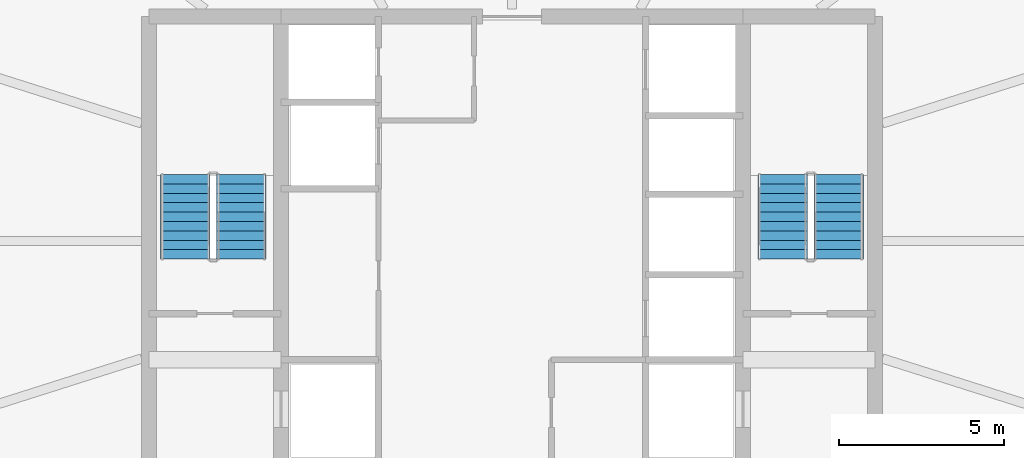
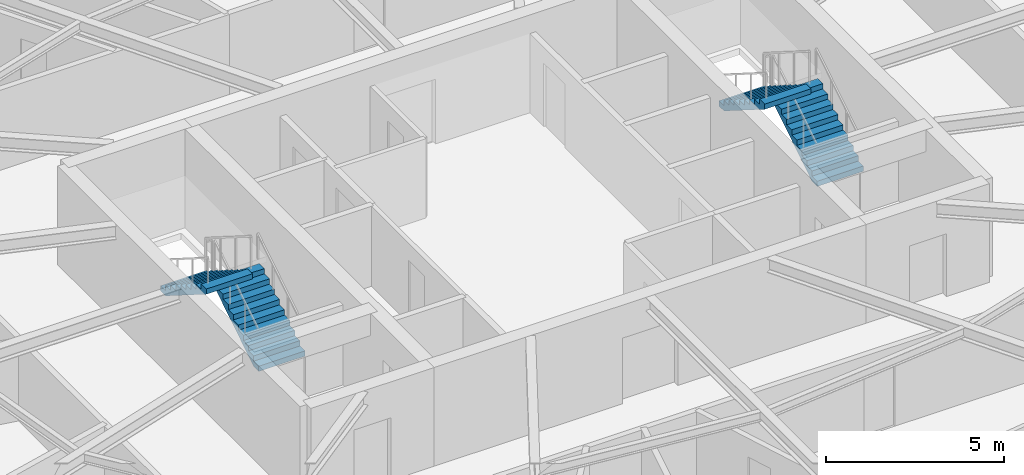
# One storey, part 25 of 28: 4 stair flights, 2 elements without a shape of their own.
"""IFC4 building model written with IfcOpenShell, lengths in metres."""

from ifc_helpers import new_model, si_unit, direction, frame, origin, place, context, subcontext, project, spatial, polyline, outline, extrude, material, type_object, element, aggregate, save


model = new_model("IFC4")

# Units and contexts
model_context = context("Model", 3, precision=1e-05, world=origin(), true_north=direction((0.0, 1.0)))
body_context = subcontext(model_context, "Body", "Model", "MODEL_VIEW")
ifc_project = project(units=[si_unit("LENGTHUNIT", "METRE"), si_unit("AREAUNIT", "SQUARE_METRE"), si_unit("VOLUMEUNIT", "CUBIC_METRE"), si_unit("PLANEANGLEUNIT", "RADIAN"), si_unit("MASSUNIT", "GRAM", prefix="KILO")], contexts=[model_context])

# Site, building, storey
site_placement = place(None, origin())
site = spatial("IfcSite", under=ifc_project, at=site_placement, CompositionType="ELEMENT")
building_placement = place(site_placement, origin())
building = spatial("IfcBuilding", under=site, at=building_placement, Name="Sarneth Arch Tower", CompositionType="ELEMENT")
storey_placement = place(building_placement, frame((0.0, 0.0, 183.0)))
storey = spatial("IfcBuildingStorey", under=building, at=storey_placement, Name="L46", CompositionType="ELEMENT", Elevation=183.0)

# Stair, stair flights
ifc_material_1 = material(Name="Concrete C50/60", Category="concrete")
stair_type = type_object("IfcStairType", Name="STAIR-CORE-RC", PredefinedType="HALF_TURN_STAIR", material=ifc_material_1)
stair_1_placement = place(storey_placement, origin())
stair_1 = element("IfcStair", 1, at=stair_1_placement, inside=storey, type_object=stair_type, Name="L46 Core Exit Stair 1", PredefinedType="HALF_TURN_STAIR")
ifc_material_2 = material(Name="Concrete C50/60", Category="concrete")
stair_flight_type = type_object("IfcStairFlightType", Name="FLIGHT-RC-1500", PredefinedType="STRAIGHT", material=ifc_material_2)
stair_flight_1_placement = place(storey_placement, frame((39.800048828125, 41.449951171875, 0.0), z_axis=(0.0, 0.0, 1.0), x_axis=(0.0, 1.0, 0.0)))
stair_flight_1 = element("IfcStairFlight", 2, at=stair_flight_1_placement, type_object=stair_flight_type, Name="ST-1 flight 1", NumberOfRisers=10, NumberOfTreads=9, PredefinedType="STRAIGHT", RiserHeight=0.18, TreadLength=0.285, context=body_context, shape_type="SweptSolid", body=[
    extrude(outline(polyline([(0.0, 0.0), (0.0, 0.179931640625), (0.284912109375, 0.179931640625), (0.284912109375, 0.360107421875), (0.570068359375, 0.360107421875), (0.570068359375, 0.5400390625), (0.85498046875, 0.5400390625), (0.85498046875, 0.719970703125), (1.139892578125, 0.719970703125), (1.139892578125, 0.89990234375), (1.425048828125, 0.89990234375), (1.425048828125, 1.080078125), (1.7099609375, 1.080078125), (1.7099609375, 1.260009765625), (1.9951171875, 1.260009765625), (1.9951171875, 1.43994140625), (2.280029296875, 1.43994140625), (2.280029296875, 1.6201171875), (2.56494140625, 1.6201171875), (2.56494140625, 1.800048828125), (2.56494140625, 1.442626953125), (0.28076171875, 0.0), (0.0, 0.0)])), frame((0.0, 0.75, 0.0), z_axis=(0.0, -1.0, 0.0), x_axis=(1.0, 0.0, 0.0)), (0.0, 0.0, 1.0), 1.5),
])
stair_flight_2_placement = place(storey_placement, frame((38.10009765625, 44.014892578125, 1.800048828125), z_axis=(0.0, 0.0, 1.0), x_axis=(0.0, -1.0, 0.0)))
stair_flight_2 = element("IfcStairFlight", 3, at=stair_flight_2_placement, type_object=stair_flight_type, Name="ST-1 flight 2", NumberOfRisers=10, NumberOfTreads=9, PredefinedType="STRAIGHT", RiserHeight=0.18, TreadLength=0.285, context=body_context, shape_type="SweptSolid", body=[
    extrude(outline(polyline([(0.0, 0.0), (0.0, 0.179931640625), (0.284912109375, 0.179931640625), (0.284912109375, 0.360107421875), (0.570068359375, 0.360107421875), (0.570068359375, 0.5400390625), (0.85498046875, 0.5400390625), (0.85498046875, 0.719970703125), (1.139892578125, 0.719970703125), (1.139892578125, 0.89990234375), (1.425048828125, 0.89990234375), (1.425048828125, 1.080078125), (1.7099609375, 1.080078125), (1.7099609375, 1.260009765625), (1.9951171875, 1.260009765625), (1.9951171875, 1.43994140625), (2.280029296875, 1.43994140625), (2.280029296875, 1.6201171875), (2.56494140625, 1.6201171875), (2.56494140625, 1.800048828125), (2.56494140625, 1.442626953125), (0.28076171875, 0.0), (0.0, 0.0)])), frame((0.0, 0.75, 0.0), z_axis=(0.0, -1.0, 0.0), x_axis=(1.0, 0.0, 0.0)), (0.0, 0.0, 1.0), 1.5),
])
aggregate(stair_1, [stair_flight_1, stair_flight_2])

stair_2_placement = place(storey_placement, origin())
stair_2 = element("IfcStair", 4, at=stair_2_placement, inside=storey, type_object=stair_type, Name="L46 Core Exit Stair 2", PredefinedType="HALF_TURN_STAIR")
stair_flight_3_placement = place(storey_placement, frame((57.89990234375, 41.449951171875, 0.0), z_axis=(0.0, 0.0, 1.0), x_axis=(0.0, 1.0, 0.0)))
stair_flight_3 = element("IfcStairFlight", 5, at=stair_flight_3_placement, type_object=stair_flight_type, Name="ST-2 flight 1", NumberOfRisers=10, NumberOfTreads=9, PredefinedType="STRAIGHT", RiserHeight=0.18, TreadLength=0.285, context=body_context, shape_type="SweptSolid", body=[
    extrude(outline(polyline([(0.0, 0.0), (0.0, 0.179931640625), (0.284912109375, 0.179931640625), (0.284912109375, 0.360107421875), (0.570068359375, 0.360107421875), (0.570068359375, 0.5400390625), (0.85498046875, 0.5400390625), (0.85498046875, 0.719970703125), (1.139892578125, 0.719970703125), (1.139892578125, 0.89990234375), (1.425048828125, 0.89990234375), (1.425048828125, 1.080078125), (1.7099609375, 1.080078125), (1.7099609375, 1.260009765625), (1.9951171875, 1.260009765625), (1.9951171875, 1.43994140625), (2.280029296875, 1.43994140625), (2.280029296875, 1.6201171875), (2.56494140625, 1.6201171875), (2.56494140625, 1.800048828125), (2.56494140625, 1.442626953125), (0.28076171875, 0.0), (0.0, 0.0)])), frame((0.0, 0.75, 0.0), z_axis=(0.0, -1.0, 0.0), x_axis=(1.0, 0.0, 0.0)), (0.0, 0.0, 1.0), 1.5),
])
stair_flight_4_placement = place(storey_placement, frame((56.199951171875, 44.014892578125, 1.800048828125), z_axis=(0.0, 0.0, 1.0), x_axis=(0.0, -1.0, 0.0)))
stair_flight_4 = element("IfcStairFlight", 6, at=stair_flight_4_placement, type_object=stair_flight_type, Name="ST-2 flight 2", NumberOfRisers=10, NumberOfTreads=9, PredefinedType="STRAIGHT", RiserHeight=0.18, TreadLength=0.285, context=body_context, shape_type="SweptSolid", body=[
    extrude(outline(polyline([(0.0, 0.0), (0.0, 0.179931640625), (0.284912109375, 0.179931640625), (0.284912109375, 0.360107421875), (0.570068359375, 0.360107421875), (0.570068359375, 0.5400390625), (0.85498046875, 0.5400390625), (0.85498046875, 0.719970703125), (1.139892578125, 0.719970703125), (1.139892578125, 0.89990234375), (1.425048828125, 0.89990234375), (1.425048828125, 1.080078125), (1.7099609375, 1.080078125), (1.7099609375, 1.260009765625), (1.9951171875, 1.260009765625), (1.9951171875, 1.43994140625), (2.280029296875, 1.43994140625), (2.280029296875, 1.6201171875), (2.56494140625, 1.6201171875), (2.56494140625, 1.800048828125), (2.56494140625, 1.442626953125), (0.28076171875, 0.0), (0.0, 0.0)])), frame((0.0, 0.75, 0.0), z_axis=(0.0, -1.0, 0.0), x_axis=(1.0, 0.0, 0.0)), (0.0, 0.0, 1.0), 1.5),
])
aggregate(stair_2, [stair_flight_3, stair_flight_4])

save(model, "model.ifc")
